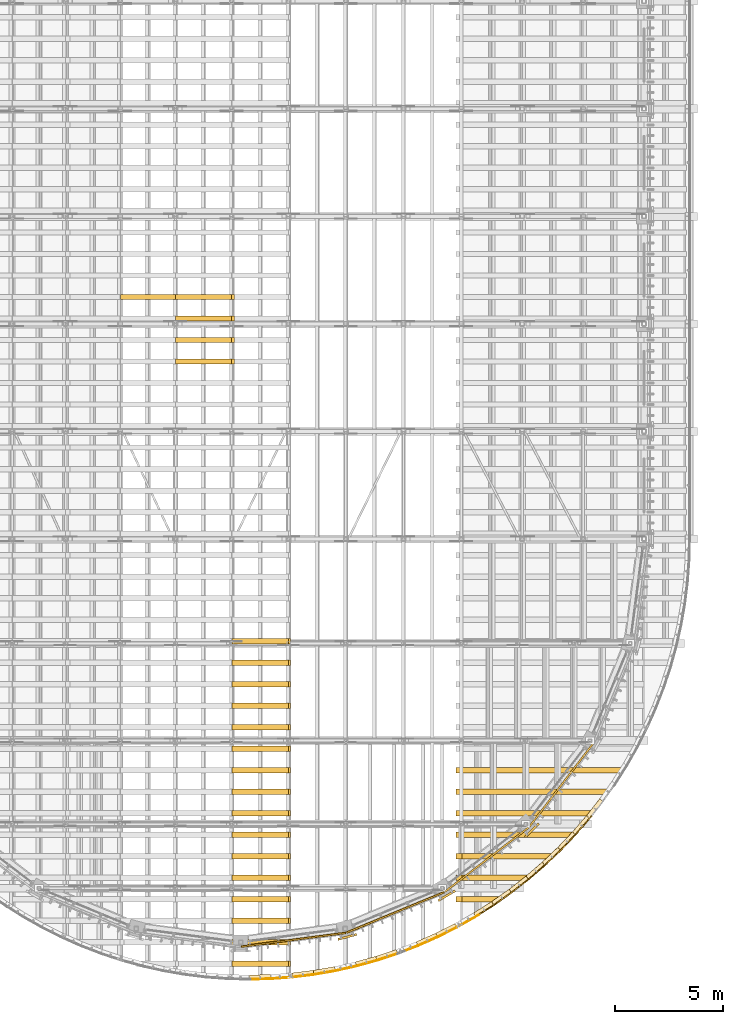
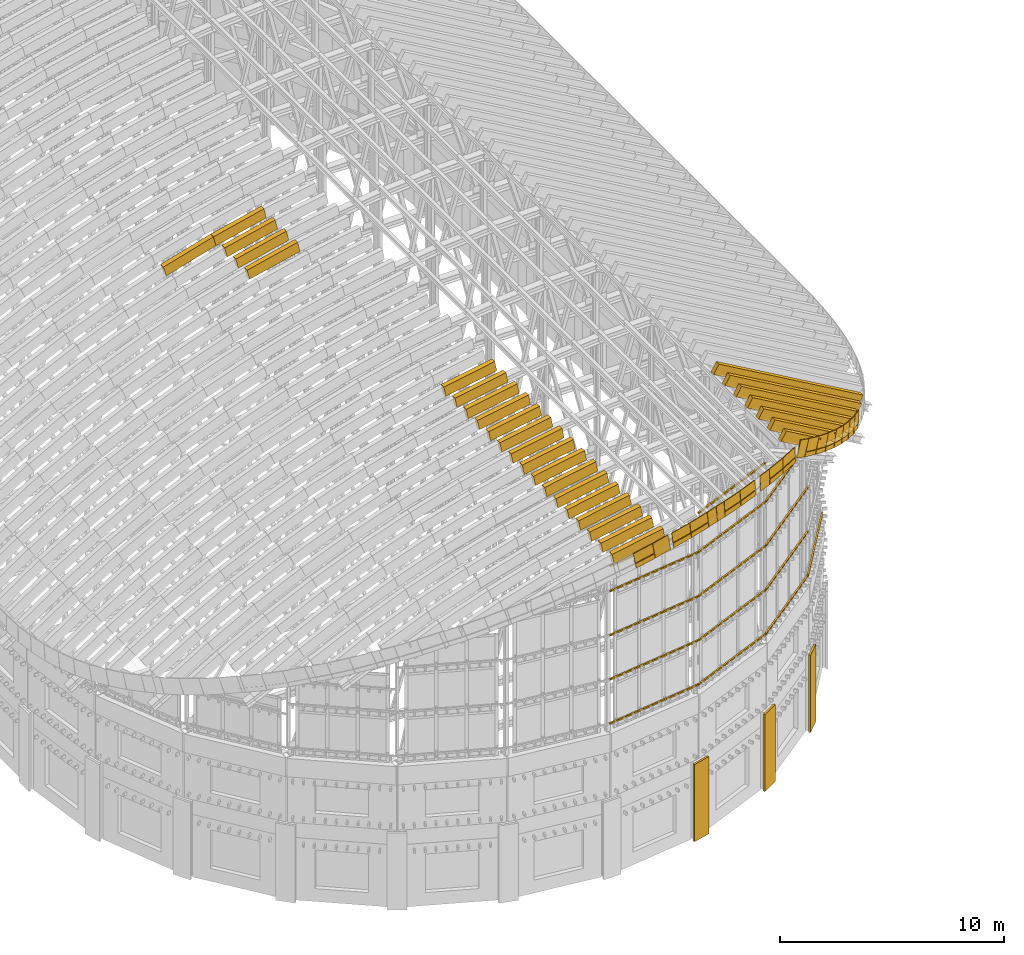
# One storey, part 86 of 105: 80 coverings.
"""IFC4 building model written with IfcOpenShell, lengths in metres."""

from ifc_helpers import new_model, si_unit, direction, frame, origin, origin_2d, place, context, subcontext, project, spatial, polyline, rectangle, outline, extrude, material, layer, layer_set, material_profile, profile_set, type_object, element, save


model = new_model("IFC4")

# Units and contexts
model_context = context("Model", 3, precision=1e-05, world=origin(), true_north=direction((0.0, 1.0)))
body_context = subcontext(model_context, "Body", "Model", "MODEL_VIEW")
ifc_project = project(units=[si_unit("LENGTHUNIT", "METRE"), si_unit("AREAUNIT", "SQUARE_METRE"), si_unit("VOLUMEUNIT", "CUBIC_METRE"), si_unit("PLANEANGLEUNIT", "RADIAN"), si_unit("MASSUNIT", "GRAM", prefix="KILO")], contexts=[model_context])

# Site, building, storey
site_placement = place(None, origin())
site = spatial("IfcSite", under=ifc_project, at=site_placement, CompositionType="ELEMENT")
building_placement = place(site_placement, origin())
building = spatial("IfcBuilding", under=site, at=building_placement, Name="Wasatch Bagh Community Centre", CompositionType="ELEMENT")
storey_placement = place(building_placement, frame((0.0, 0.0, 16.800048828125)))
storey = spatial("IfcBuildingStorey", under=building, at=storey_placement, Name="L04", CompositionType="ELEMENT", Elevation=16.800048828125)

# Coverings
ifc_material_1 = material(Name="White precast concrete C40/50", Category="concrete")
ifc_layer = layer(ifc_material_1, 0.10009765625)
ifc_layer_set = layer_set([ifc_layer], Name="White precast concrete C40/50")
covering_type_1 = type_object("IfcCoveringType", Name="MH column casing", PredefinedType="CLADDING", material=ifc_layer_set)
for number, where, z_axis, x_axis, name in (
    (1, (40.956298828125, 16.50244140625, 0.0), (0.0, 0.0, 1.0), (0.965925826289, 0.258819045103, 0.0), "Column casing S7 L04"),
    (2, (45.574951171875, 18.41552734375, 0.0), (0.0, 0.0, 1.0), (0.866025403784, 0.5, 0.0), "Column casing S8 L04"),
    (3, (49.541015625, 21.458984375, 0.0), (0.0, 0.0, 1.0), (0.707106781187, 0.707106781187, 0.0), "Column casing S9 L04"),
):
    element("IfcCovering", number, at=place(storey_placement, frame(where, z_axis=z_axis, x_axis=x_axis)), inside=storey, type_object=covering_type_1, Name=name, PredefinedType="CLADDING", context=body_context, shape_type="SweptSolid", body=[
        extrude(rectangle(XDim=0.89990234375, YDim=0.10009765625, at=origin_2d()), origin(), (0.0, 0.0, 1.0), 4.199951171875),
    ])
ifc_material_2 = material(Name="ASTM A653 Grade 50 steel, zinc-aluminium coated", Category="steel")
ifc_material_profile_1 = material_profile(ifc_material_2, outline(polyline([(-0.080078125, 0.0029296875), (0.152099609375, 0.0029296875), (0.152099609375, -0.031982421875), (0.14892578125, -0.031982421875), (0.14892578125, 0.0), (-0.080078125, 0.0), (-0.080078125, 0.0029296875)])), Name="DRIP EDGE")
ifc_profile_set_1 = profile_set([ifc_material_profile_1], Name="ASTM A653 Grade 50 steel, zinc-aluminium coated")
covering_type_2 = type_object("IfcCoveringType", Name="MH drip edge", PredefinedType="CLADDING", material=ifc_profile_set_1)
covering_1_placement = place(storey_placement, frame((52.742919921875, 22.87451171875, 14.970947265625), z_axis=(-0.579743599682, -0.742898023451, 0.334663839368), x_axis=(0.643371320718, -0.669404605522, -0.3714442324)))
element("IfcCovering", 4, at=covering_1_placement, inside=storey, type_object=covering_type_2, Name="Drip edge 15", PredefinedType="CLADDING", context=body_context, shape_type="SweptSolid", body=[
    extrude(outline(polyline([(-0.080078125, 0.0029296875), (0.152099609375, 0.0029296875), (0.152099609375, -0.031982421875), (0.14892578125, -0.031982421875), (0.14892578125, 0.0), (-0.080078125, 0.0), (-0.080078125, 0.0029296875)])), origin(), (0.0, 0.0, 1.0), 1.052001953125),
])
covering_2_placement = place(storey_placement, frame((52.12841796875, 22.087158203125, 15.32568359375), z_axis=(-0.611351247822, -0.708365524238, 0.352800135852), x_axis=(0.613418152738, -0.705845774567, -0.354259668065)))
element("IfcCovering", 5, at=covering_2_placement, inside=storey, type_object=covering_type_2, Name="Drip edge 16", PredefinedType="CLADDING", context=body_context, shape_type="SweptSolid", body=[
    extrude(outline(polyline([(-0.080078125, 0.0029296875), (0.152099609375, 0.0029296875), (0.152099609375, -0.031982421875), (0.14892578125, -0.031982421875), (0.14892578125, 0.0), (-0.080078125, 0.0), (-0.080078125, 0.0029296875)])), origin(), (0.0, 0.0, 1.0), 1.0595703125),
])
covering_3_placement = place(storey_placement, frame((51.475830078125, 21.3310546875, 15.702392578125), z_axis=(-0.640610340055, -0.672869646465, 0.369952471382), x_axis=(0.582724346567, -0.739761066412, -0.336431123024)))
element("IfcCovering", 6, at=covering_3_placement, inside=storey, type_object=covering_type_2, Name="Drip edge 17", PredefinedType="CLADDING", context=body_context, shape_type="SweptSolid", body=[
    extrude(outline(polyline([(-0.080078125, 0.0029296875), (0.152099609375, 0.0029296875), (0.152099609375, -0.031982421875), (0.14892578125, -0.031982421875), (0.14892578125, 0.0), (-0.080078125, 0.0), (-0.080078125, 0.0029296875)])), origin(), (0.0, 0.0, 1.0), 1.067138671875),
])
covering_4_placement = place(storey_placement, frame((50.786865234375, 20.60791015625, 16.10009765625), z_axis=(-0.668093649869, -0.636290483945, 0.38572696956), x_axis=(0.551075888792, -0.771449555976, -0.318089527299)))
element("IfcCovering", 7, at=covering_4_placement, inside=storey, type_object=covering_type_2, Name="Drip edge 18", PredefinedType="CLADDING", context=body_context, shape_type="SweptSolid", body=[
    extrude(outline(polyline([(-0.080078125, 0.0029296875), (0.152099609375, 0.0029296875), (0.152099609375, -0.031982421875), (0.14892578125, -0.031982421875), (0.14892578125, 0.0), (-0.080078125, 0.0), (-0.080078125, 0.0029296875)])), origin(), (0.0, 0.0, 1.0), 1.07470703125),
])
covering_5_placement = place(storey_placement, frame((50.0634765625, 19.919189453125, 16.517822265625), z_axis=(-0.693812726836, -0.598371171242, 0.400719155402), x_axis=(0.51818546769, -0.801219033347, -0.299218785636)))
element("IfcCovering", 8, at=covering_5_placement, inside=storey, type_object=covering_type_2, Name="Drip edge 19", PredefinedType="CLADDING", context=body_context, shape_type="SweptSolid", body=[
    extrude(outline(polyline([(-0.080078125, 0.0029296875), (0.152099609375, 0.0029296875), (0.152099609375, -0.031982421875), (0.14892578125, -0.031982421875), (0.14892578125, 0.0), (-0.080078125, 0.0), (-0.080078125, 0.0029296875)])), origin(), (0.0, 0.0, 1.0), 1.08203125),
])
covering_6_placement = place(storey_placement, frame((49.30712890625, 19.26708984375, 16.95458984375), z_axis=(-0.717486380448, -0.559962043954, 0.414313653169), x_axis=(0.484946771067, -0.828518260134, -0.279971644737)))
element("IfcCovering", 9, at=covering_6_placement, inside=storey, type_object=covering_type_2, Name="Drip edge 20", PredefinedType="CLADDING", context=body_context, shape_type="SweptSolid", body=[
    extrude(outline(polyline([(-0.080078125, 0.0029296875), (0.152099609375, 0.0029296875), (0.152099609375, -0.031982421875), (0.14892578125, -0.031982421875), (0.14892578125, 0.0), (-0.080078125, 0.0), (-0.080078125, 0.0029296875)])), origin(), (0.0, 0.0, 1.0), 1.089599609375),
])
covering_7_placement = place(storey_placement, frame((48.51953125, 18.652587890625, 17.4091796875), z_axis=(-0.739388634399, -0.520533160863, 0.42702420981), x_axis=(0.450755746808, -0.853841453913, -0.260334454692)))
element("IfcCovering", 10, at=covering_7_placement, inside=storey, type_object=covering_type_2, Name="Drip edge 21", PredefinedType="CLADDING", context=body_context, shape_type="SweptSolid", body=[
    extrude(outline(polyline([(-0.080078125, 0.0029296875), (0.152099609375, 0.0029296875), (0.152099609375, -0.031982421875), (0.14892578125, -0.031982421875), (0.14892578125, 0.0), (-0.080078125, 0.0), (-0.080078125, 0.0029296875)])), origin(), (0.0, 0.0, 1.0), 1.0966796875),
])
covering_8_placement = place(storey_placement, frame((47.702880859375, 18.07763671875, 17.880859375), z_axis=(-0.759393999021, -0.480816771524, 0.43833319116), x_axis=(0.416386319643, -0.876821092269, -0.240431289492)))
element("IfcCovering", 11, at=covering_8_placement, inside=storey, type_object=covering_type_2, Name="Drip edge 22", PredefinedType="CLADDING", context=body_context, shape_type="SweptSolid", body=[
    extrude(outline(polyline([(-0.080078125, 0.0029296875), (0.152099609375, 0.0029296875), (0.152099609375, -0.031982421875), (0.14892578125, -0.031982421875), (0.14892578125, 0.0), (-0.080078125, 0.0), (-0.080078125, 0.0029296875)])), origin(), (0.0, 0.0, 1.0), 1.103271484375),
])
covering_9_placement = place(storey_placement, frame((45.9892578125, 17.051025390625, 18.643310546875), z_axis=(-0.893056270944, -0.449361279504, -0.022911512606), x_axis=(0.449211420315, -0.893350119153, 0.011604502075)))
element("IfcCovering", 12, at=covering_9_placement, inside=storey, type_object=covering_type_2, Name="Drip edge 25", PredefinedType="CLADDING", context=body_context, shape_type="SweptSolid", body=[
    extrude(outline(polyline([(-0.080078125, 0.0029296875), (0.152099609375, 0.0029296875), (0.152099609375, -0.031982421875), (0.14892578125, -0.031982421875), (0.14892578125, 0.0), (-0.080078125, 0.0), (-0.080078125, 0.0029296875)])), origin(), (0.0, 0.0, 1.0), 0.990966796875),
])
covering_10_placement = place(storey_placement, frame((45.09716796875, 16.602294921875, 18.620361328125), z_axis=(-0.913951752746, -0.405133557873, -0.023643052618), x_axis=(0.404998526626, -0.914257512969, 0.010459130458)))
element("IfcCovering", 13, at=covering_10_placement, inside=storey, type_object=covering_type_2, Name="Drip edge 26", PredefinedType="CLADDING", context=body_context, shape_type="SweptSolid", body=[
    extrude(outline(polyline([(-0.080078125, 0.0029296875), (0.152099609375, 0.0029296875), (0.152099609375, -0.031982421875), (0.14892578125, -0.031982421875), (0.14892578125, 0.0), (-0.080078125, 0.0), (-0.080078125, 0.0029296875)])), origin(), (0.0, 0.0, 1.0), 0.9912109375),
])
for number, where, z_axis, x_axis, name in (
    (14, (43.251953125, 15.83837890625, 18.5576171875), (-0.946976025737, -0.312792029259, -0.073468041436), (0.311853882433, -0.949821639188, 0.024207638091), "Drip edge 29"),
    (15, (42.303466796875, 15.525146484375, 18.48388671875), (-0.961139413414, -0.2658366169, -0.074444080333), (0.265038703636, -0.964018096567, 0.020581425287), "Drip edge 30"),
):
    element("IfcCovering", number, at=place(storey_placement, frame(where, z_axis=z_axis, x_axis=x_axis)), inside=storey, type_object=covering_type_2, Name=name, PredefinedType="CLADDING", context=body_context, shape_type="SweptSolid", body=[
        extrude(outline(polyline([(-0.080078125, 0.0029296875), (0.152099609375, 0.0029296875), (0.152099609375, -0.031982421875), (0.14892578125, -0.031982421875), (0.14892578125, 0.0), (-0.080078125, 0.0), (-0.080078125, 0.0029296875)])), origin(), (0.0, 0.0, 1.0), 0.99365234375),
    ])
for number, where, z_axis, x_axis, name in (
    (16, (40.3662109375, 15.040283203125, 18.308837890625), (-0.977315510843, -0.169606642792, -0.126838397131), (0.168195661379, -0.985511839965, 0.021831921161), "Drip edge 33"),
    (17, (39.382080078125, 14.869873046875, 18.180908203125), (-0.984334507567, -0.121453388843, -0.127807087254), (0.120443474304, -0.992597135936, 0.015629946585), "Drip edge 34"),
):
    element("IfcCovering", number, at=place(storey_placement, frame(where, z_axis=z_axis, x_axis=x_axis)), inside=storey, type_object=covering_type_2, Name=name, PredefinedType="CLADDING", context=body_context, shape_type="SweptSolid", body=[
        extrude(outline(polyline([(-0.080078125, 0.0029296875), (0.152099609375, 0.0029296875), (0.152099609375, -0.031982421875), (0.14892578125, -0.031982421875), (0.14892578125, 0.0), (-0.080078125, 0.0), (-0.080078125, 0.0029296875)])), origin(), (0.0, 0.0, 1.0), 0.9990234375),
    ])
covering_11_placement = place(storey_placement, frame((37.39453125, 14.67431640625, 17.882568359375), z_axis=(-0.983442735228, -0.023998232878, -0.179623136999), x_axis=(0.023602610076, -0.999712000539, 0.004339674732)))
element("IfcCovering", 18, at=covering_11_placement, inside=storey, type_object=covering_type_2, Name="Drip edge 37", PredefinedType="CLADDING", context=body_context, shape_type="SweptSolid", body=[
    extrude(outline(polyline([(-0.080078125, 0.0029296875), (0.152099609375, 0.0029296875), (0.152099609375, -0.031982421875), (0.14892578125, -0.031982421875), (0.14892578125, 0.0), (-0.080078125, 0.0), (-0.080078125, 0.0029296875)])), origin(), (0.0, 0.0, 1.0), 1.007080078125),
])
ifc_material_profile_2 = material_profile(ifc_material_2, rectangle(XDim=0.0400390625, YDim=0.85009765625, at=origin_2d()), Name="FASCIA 40x850")
ifc_profile_set_2 = profile_set([ifc_material_profile_2], Name="ASTM A653 Grade 50 steel, zinc-aluminium coated")
covering_type_3 = type_object("IfcCoveringType", Name="MH eave fascia 40x850", PredefinedType="CLADDING", material=ifc_profile_set_2)
covering_12_placement = place(storey_placement, frame((52.21923828125, 22.0087890625, 15.47802734375), z_axis=(-0.611206905787, -0.708465319905, 0.352849838899), x_axis=(0.757166284111, -0.653222181348, 0.0)))
element("IfcCovering", 19, at=covering_12_placement, inside=storey, type_object=covering_type_3, Name="Eave fascia 16", PredefinedType="CLADDING", context=body_context, shape_type="SweptSolid", body=[
    extrude(rectangle(XDim=0.0400390625, YDim=0.85009765625, at=origin_2d()), origin(), (0.0, 0.0, 1.0), 1.059326171875),
])
covering_13_placement = place(storey_placement, frame((51.562744140625, 21.248291015625, 15.857666015625), z_axis=(-0.640664552202, -0.67292658858, 0.369754970128), x_axis=(0.72425504853, -0.689532178131, 0.0)))
element("IfcCovering", 20, at=covering_13_placement, inside=storey, type_object=covering_type_3, Name="Eave fascia 17", PredefinedType="CLADDING", context=body_context, shape_type="SweptSolid", body=[
    extrude(rectangle(XDim=0.0400390625, YDim=0.85009765625, at=origin_2d()), origin(), (0.0, 0.0, 1.0), 1.06689453125),
])
covering_14_placement = place(storey_placement, frame((50.86962890625, 20.52099609375, 16.258056640625), z_axis=(-0.668093649869, -0.636290483945, 0.38572696956), x_axis=(0.689661320562, -0.724132075606, 0.0)))
element("IfcCovering", 21, at=covering_14_placement, inside=storey, type_object=covering_type_3, Name="Eave fascia 18", PredefinedType="CLADDING", context=body_context, shape_type="SweptSolid", body=[
    extrude(rectangle(XDim=0.0400390625, YDim=0.85009765625, at=origin_2d()), origin(), (0.0, 0.0, 1.0), 1.07470703125),
])
covering_15_placement = place(storey_placement, frame((50.141845703125, 19.828369140625, 16.678466796875), z_axis=(-0.69378175214, -0.598570077537, 0.400475645544), x_axis=(0.65324155997, -0.757149565362, 0.0)))
element("IfcCovering", 22, at=covering_15_placement, inside=storey, type_object=covering_type_3, Name="Eave fascia 19", PredefinedType="CLADDING", context=body_context, shape_type="SweptSolid", body=[
    extrude(rectangle(XDim=0.0400390625, YDim=0.85009765625, at=origin_2d()), origin(), (0.0, 0.0, 1.0), 1.08203125),
])
covering_16_placement = place(storey_placement, frame((49.380859375, 19.17236328125, 17.11767578125), z_axis=(-0.717486380448, -0.559962043954, 0.414313653169), x_axis=(0.615252196869, -0.788330345888, 0.0)))
element("IfcCovering", 23, at=covering_16_placement, inside=storey, type_object=covering_type_3, Name="Eave fascia 20", PredefinedType="CLADDING", context=body_context, shape_type="SweptSolid", body=[
    extrude(rectangle(XDim=0.0400390625, YDim=0.85009765625, at=origin_2d()), origin(), (0.0, 0.0, 1.0), 1.089599609375),
])
covering_17_placement = place(storey_placement, frame((48.588623046875, 18.554443359375, 17.574951171875), z_axis=(-0.73945892186, -0.520582643574, 0.426842141887), x_axis=(0.575658067023, -0.817690522063, 0.0)))
element("IfcCovering", 24, at=covering_17_placement, inside=storey, type_object=covering_type_3, Name="Eave fascia 21", PredefinedType="CLADDING", context=body_context, shape_type="SweptSolid", body=[
    extrude(rectangle(XDim=0.0400390625, YDim=0.85009765625, at=origin_2d()), origin(), (0.0, 0.0, 1.0), 1.096435546875),
])
covering_18_placement = place(storey_placement, frame((47.76708984375, 17.976318359375, 18.048828125), z_axis=(-0.759393999021, -0.480816771524, 0.43833319116), x_axis=(0.534946655462, -0.844885835962, 0.0)))
element("IfcCovering", 25, at=covering_18_placement, inside=storey, type_object=covering_type_3, Name="Eave fascia 22", PredefinedType="CLADDING", context=body_context, shape_type="SweptSolid", body=[
    extrude(rectangle(XDim=0.0400390625, YDim=0.85009765625, at=origin_2d()), origin(), (0.0, 0.0, 1.0), 1.103271484375),
])
covering_19_placement = place(storey_placement, frame((46.91796875, 17.43896484375, 18.538330078125), z_axis=(-0.777593572249, -0.440354280133, 0.448816604378), x_axis=(0.492773621404, -0.870157547832, 0.0)))
element("IfcCovering", 26, at=covering_19_placement, inside=storey, type_object=covering_type_3, Name="Eave fascia 23", PredefinedType="CLADDING", context=body_context, shape_type="SweptSolid", body=[
    extrude(rectangle(XDim=0.0400390625, YDim=0.85009765625, at=origin_2d()), origin(), (0.0, 0.0, 1.0), 0.779052734375),
])
for number, where, z_axis, x_axis, name in (
    (27, (46.043212890625, 16.94384765625, 18.7685546875), (-0.89305120304, -0.449358729475, -0.023157741541), (0.449479269232, -0.893290762591, 0.0), "Eave fascia 25"),
    (28, (45.145751953125, 16.492431640625, 18.745361328125), (-0.914007690552, -0.405021197646, -0.023404509596), (0.405132172687, -0.914258126928, 0.0), "Eave fascia 26"),
):
    element("IfcCovering", number, at=place(storey_placement, frame(where, z_axis=z_axis, x_axis=x_axis)), inside=storey, type_object=covering_type_3, Name=name, PredefinedType="CLADDING", context=body_context, shape_type="SweptSolid", body=[
        extrude(rectangle(XDim=0.0400390625, YDim=0.85009765625, at=origin_2d()), origin(), (0.0, 0.0, 1.0), 0.990966796875),
    ])
covering_20_placement = place(storey_placement, frame((44.22705078125, 16.085693359375, 18.721923828125), z_axis=(-0.932663199548, -0.359942753085, -0.024095034964), x_axis=(0.360047284713, -0.93293405596, 0.0)))
element("IfcCovering", 29, at=covering_20_placement, inside=storey, type_object=covering_type_3, Name="Eave fascia 27", PredefinedType="CLADDING", context=body_context, shape_type="SweptSolid", body=[
    extrude(rectangle(XDim=0.0400390625, YDim=0.85009765625, at=origin_2d()), origin(), (0.0, 0.0, 1.0), 0.65869140625),
])
covering_21_placement = place(storey_placement, frame((43.28955078125, 15.724365234375, 18.683837890625), z_axis=(-0.946976025737, -0.312792029259, -0.073468041436), x_axis=(0.31363961778, -0.949542094991, 0.0)))
element("IfcCovering", 30, at=covering_21_placement, inside=storey, type_object=covering_type_3, Name="Eave fascia 29", PredefinedType="CLADDING", context=body_context, shape_type="SweptSolid", body=[
    extrude(rectangle(XDim=0.0400390625, YDim=0.85009765625, at=origin_2d()), origin(), (0.0, 0.0, 1.0), 0.99365234375),
])
covering_22_placement = place(storey_placement, frame((42.33544921875, 15.40966796875, 18.610107421875), z_axis=(-0.961057855904, -0.266127757081, -0.074456796302), x_axis=(0.266868519958, -0.963732946959, 0.0)))
element("IfcCovering", 31, at=covering_22_placement, inside=storey, type_object=covering_type_3, Name="Eave fascia 30", PredefinedType="CLADDING", context=body_context, shape_type="SweptSolid", body=[
    extrude(rectangle(XDim=0.0400390625, YDim=0.85009765625, at=origin_2d()), origin(), (0.0, 0.0, 1.0), 0.993408203125),
])
covering_23_placement = place(storey_placement, frame((41.366943359375, 15.141845703125, 18.535400390625), z_axis=(-0.972911577235, -0.218560288888, -0.075329031607), x_axis=(0.219183046643, -0.975683756175, 0.0)))
element("IfcCovering", 32, at=covering_23_placement, inside=storey, type_object=covering_type_3, Name="Eave fascia 31", PredefinedType="CLADDING", context=body_context, shape_type="SweptSolid", body=[
    extrude(rectangle(XDim=0.0400390625, YDim=0.85009765625, at=origin_2d()), origin(), (0.0, 0.0, 1.0), 0.460205078125),
])
covering_24_placement = place(storey_placement, frame((40.911376953125, 15.03955078125, 18.50439453125), z_axis=(-0.968036963081, -0.217276682258, -0.125280810408), x_axis=(0.219002129409, -0.975724380814, 0.0)))
element("IfcCovering", 33, at=covering_24_placement, inside=storey, type_object=covering_type_3, Name="Eave fascia 32", PredefinedType="CLADDING", context=body_context, shape_type="SweptSolid", body=[
    extrude(rectangle(XDim=0.0400390625, YDim=0.85009765625, at=origin_2d()), origin(), (0.0, 0.0, 1.0), 0.528076171875),
])
for number, where, z_axis, x_axis, name in (
    (34, (40.38671875, 14.922119140625, 18.437255859375), (-0.977315510843, -0.169606642792, -0.126838397131), (0.170987642486, -0.985273173347, 0.0), "Eave fascia 33"),
    (35, (39.396728515625, 14.750732421875, 18.3095703125), (-0.984334507567, -0.121453388843, -0.127807087254), (0.122457658417, -0.992473738642, 0.0), "Eave fascia 34"),
):
    element("IfcCovering", number, at=place(storey_placement, frame(where, z_axis=z_axis, x_axis=x_axis)), inside=storey, type_object=covering_type_3, Name=name, PredefinedType="CLADDING", context=body_context, shape_type="SweptSolid", body=[
        extrude(rectangle(XDim=0.0400390625, YDim=0.85009765625, at=origin_2d()), origin(), (0.0, 0.0, 1.0), 0.9990234375),
    ])
covering_25_placement = place(storey_placement, frame((38.2314453125, 14.61572265625, 18.165771484375), z_axis=(-0.981116574311, -0.072437305873, -0.179340749219), x_axis=(0.073631085377, -0.997285547507, 0.0)))
element("IfcCovering", 36, at=covering_25_placement, inside=storey, type_object=covering_type_3, Name="Eave fascia 36", PredefinedType="CLADDING", context=body_context, shape_type="SweptSolid", body=[
    extrude(rectangle(XDim=0.0400390625, YDim=0.85009765625, at=origin_2d()), origin(), (0.0, 0.0, 1.0), 0.8359375),
])
covering_26_placement = place(storey_placement, frame((37.3974609375, 14.554443359375, 18.0146484375), z_axis=(-0.983394139173, -0.024239441439, -0.179856655476), x_axis=(0.024641270835, -0.999696357787, 0.0)))
element("IfcCovering", 37, at=covering_26_placement, inside=storey, type_object=covering_type_3, Name="Eave fascia 37", PredefinedType="CLADDING", context=body_context, shape_type="SweptSolid", body=[
    extrude(rectangle(XDim=0.0400390625, YDim=0.85009765625, at=origin_2d()), origin(), (0.0, 0.0, 1.0), 1.00732421875),
])
ifc_material_3 = material(Name="Aluminium extrusion", Category="aluminium")
ifc_material_profile_3 = material_profile(ifc_material_3, rectangle(XDim=0.080078125, YDim=0.080078125, at=origin_2d()), Name="AL 80x80")
ifc_profile_set_3 = profile_set([ifc_material_profile_3], Name="Aluminium extrusion")
covering_type_4 = type_object("IfcCoveringType", Name="MH fin rail 80x80", PredefinedType="CLADDING", material=ifc_profile_set_3)
for number, where, z_axis, x_axis, name in (
    (38, (36.026123046875, 16.0517578125, 8.199951171875), (0.991443936339, 0.130533218363, 0.0), (-0.130533218363, 0.991443936339, 0.0), "Fin rail 7.1"),
    (39, (36.026123046875, 16.0517578125, 10.599853515625), (0.991443936339, 0.130533218363, 0.0), (-0.130533218363, 0.991443936339, 0.0), "Fin rail 7.2"),
    (40, (36.026123046875, 16.0517578125, 13.0), (0.991443936339, 0.130533218363, 0.0), (-0.130533218363, 0.991443936339, 0.0), "Fin rail 7.3"),
    (41, (36.026123046875, 16.0517578125, 15.39990234375), (0.991443936339, 0.130533218363, 0.0), (-0.130533218363, 0.991443936339, 0.0), "Fin rail 7.4"),
    (42, (36.026123046875, 16.0517578125, 16.760009765625), (0.991443936339, 0.130533218363, 0.0), (-0.130533218363, 0.991443936339, 0.0), "Fin rail 7.5"),
):
    element("IfcCovering", number, at=place(storey_placement, frame(where, z_axis=z_axis, x_axis=x_axis)), inside=storey, type_object=covering_type_4, Name=name, PredefinedType="CLADDING", context=body_context, shape_type="SweptSolid", body=[
        extrude(rectangle(XDim=0.080078125, YDim=0.080078125, at=origin_2d()), origin(), (0.0, 0.0, 1.0), 4.894775390625),
    ])
for number, where, z_axis, x_axis, name in (
    (43, (40.929443359375, 16.7041015625, 8.199951171875), (0.923880654153, 0.382680724471, 0.0), (-0.382680724471, 0.923880654153, 0.0), "Fin rail 8.1"),
    (44, (40.929443359375, 16.7041015625, 10.599853515625), (0.923880654153, 0.382680724471, 0.0), (-0.382680724471, 0.923880654153, 0.0), "Fin rail 8.2"),
    (45, (40.929443359375, 16.7041015625, 13.0), (0.923880654153, 0.382680724471, 0.0), (-0.382680724471, 0.923880654153, 0.0), "Fin rail 8.3"),
    (46, (40.929443359375, 16.7041015625, 15.39990234375), (0.923880654153, 0.382680724471, 0.0), (-0.382680724471, 0.923880654153, 0.0), "Fin rail 8.4"),
    (47, (40.929443359375, 16.7041015625, 17.530029296875), (0.923880654153, 0.382680724471, 0.0), (-0.382680724471, 0.923880654153, 0.0), "Fin rail 8.5"),
    (48, (45.496826171875, 18.603271484375, 8.199951171875), (0.793337338041, 0.60878228298, 0.0), (-0.60878228298, 0.793337338041, 0.0), "Fin rail 9.1"),
    (49, (45.496826171875, 18.603271484375, 10.599853515625), (0.793337338041, 0.60878228298, 0.0), (-0.60878228298, 0.793337338041, 0.0), "Fin rail 9.2"),
    (50, (45.496826171875, 18.603271484375, 13.0), (0.793337338041, 0.60878228298, 0.0), (-0.60878228298, 0.793337338041, 0.0), "Fin rail 9.3"),
    (51, (45.496826171875, 18.603271484375, 15.39990234375), (0.793337338041, 0.60878228298, 0.0), (-0.60878228298, 0.793337338041, 0.0), "Fin rail 9.4"),
    (52, (49.4169921875, 21.6201171875, 8.199951171875), (0.60878228298, 0.793337338041, 0.0), (-0.793337338041, 0.60878228298, 0.0), "Fin rail 10.1"),
):
    element("IfcCovering", number, at=place(storey_placement, frame(where, z_axis=z_axis, x_axis=x_axis)), inside=storey, type_object=covering_type_4, Name=name, PredefinedType="CLADDING", context=body_context, shape_type="SweptSolid", body=[
        extrude(rectangle(XDim=0.080078125, YDim=0.080078125, at=origin_2d()), origin(), (0.0, 0.0, 1.0), 4.89453125),
    ])
covering_type_5 = type_object("IfcCoveringType", Name="MH roll-over fin rib", PredefinedType="ROOFING", material=ifc_material_2)
covering_27_placement = place(storey_placement, frame((30.403076171875, 46.125, 16.744873046875), z_axis=(-0.280263508519, 0.0, 0.959923104104), x_axis=(0.959923104104, 0.0, 0.280263508519)))
element("IfcCovering", 53, at=covering_27_placement, inside=storey, type_object=covering_type_5, Name="Seam rib 7.32", PredefinedType="ROOFING", context=body_context, shape_type="SweptSolid", body=[
    extrude(outline(polyline([(0.0, 0.0), (2.6682129911495487, 0.0), (2.6682129911495487, 0.25), (0.0, 0.25), (0.0, 0.0)])), origin(), (0.0, 0.0, -1.0), 0.550048828125),
])
for number, where, z_axis, x_axis, name in (
    (54, (32.98046875, 43.125, 17.490478515625), (-0.2303751915, 0.0, 0.973101881172), (0.973101881172, 0.0, 0.2303751915), "Seam rib 8.29"),
    (55, (32.98046875, 44.125, 17.490478515625), (-0.2303751915, 0.0, 0.973101881172), (0.973101881172, 0.0, 0.2303751915), "Seam rib 8.30"),
    (56, (32.98046875, 45.125, 17.490478515625), (-0.2303751915, 0.0, 0.973101881172), (0.973101881172, 0.0, 0.2303751915), "Seam rib 8.31"),
    (57, (32.98046875, 46.125, 17.490478515625), (-0.2303751915, 0.0, 0.973101881172), (0.973101881172, 0.0, 0.2303751915), "Seam rib 8.32"),
):
    element("IfcCovering", number, at=place(storey_placement, frame(where, z_axis=z_axis, x_axis=x_axis)), inside=storey, type_object=covering_type_5, Name=name, PredefinedType="ROOFING", context=body_context, shape_type="SweptSolid", body=[
        extrude(outline(polyline([(0.0, 0.0), (2.6684561377800424, 0.0), (2.6684561377800424, 0.25), (0.0, 0.25), (0.0, 0.0)])), origin(), (0.0, 0.0, -1.0), 0.550048828125),
    ])
for number, where, z_axis, x_axis, name in (
    (58, (35.59326171875, 15.125, 18.103515625), (-0.179779044662, 0.0, 0.983707016901), (0.983707016901, 0.0, 0.179779044662), "Seam rib 9.1"),
    (59, (35.59326171875, 16.125, 18.103515625), (-0.179779044662, 0.0, 0.983707016901), (0.983707016901, 0.0, 0.179779044662), "Seam rib 9.2"),
    (60, (35.59326171875, 17.125, 18.103515625), (-0.179779044662, 0.0, 0.983707016901), (0.983707016901, 0.0, 0.179779044662), "Seam rib 9.3"),
    (61, (35.59326171875, 18.125, 18.103515625), (-0.179779044662, 0.0, 0.983707016901), (0.983707016901, 0.0, 0.179779044662), "Seam rib 9.4"),
    (62, (35.59326171875, 19.125, 18.103515625), (-0.179779044662, 0.0, 0.983707016901), (0.983707016901, 0.0, 0.179779044662), "Seam rib 9.5"),
    (63, (35.59326171875, 20.125, 18.103515625), (-0.179779044662, 0.0, 0.983707016901), (0.983707016901, 0.0, 0.179779044662), "Seam rib 9.6"),
    (64, (35.59326171875, 21.125, 18.103515625), (-0.179779044662, 0.0, 0.983707016901), (0.983707016901, 0.0, 0.179779044662), "Seam rib 9.7"),
    (65, (35.59326171875, 22.125, 18.103515625), (-0.179779044662, 0.0, 0.983707016901), (0.983707016901, 0.0, 0.179779044662), "Seam rib 9.8"),
    (66, (35.59326171875, 23.125, 18.103515625), (-0.179779044662, 0.0, 0.983707016901), (0.983707016901, 0.0, 0.179779044662), "Seam rib 9.9"),
    (67, (35.59326171875, 24.125, 18.103515625), (-0.179779044662, 0.0, 0.983707016901), (0.983707016901, 0.0, 0.179779044662), "Seam rib 9.10"),
    (68, (35.59326171875, 25.125, 18.103515625), (-0.179779044662, 0.0, 0.983707016901), (0.983707016901, 0.0, 0.179779044662), "Seam rib 9.11"),
    (69, (35.59326171875, 26.125, 18.103515625), (-0.179779044662, 0.0, 0.983707016901), (0.983707016901, 0.0, 0.179779044662), "Seam rib 9.12"),
    (70, (35.59326171875, 27.125, 18.103515625), (-0.179779044662, 0.0, 0.983707016901), (0.983707016901, 0.0, 0.179779044662), "Seam rib 9.13"),
    (71, (35.59326171875, 28.125, 18.103515625), (-0.179779044662, 0.0, 0.983707016901), (0.983707016901, 0.0, 0.179779044662), "Seam rib 9.14"),
    (72, (35.59326171875, 29.125, 18.103515625), (-0.179779044662, 0.0, 0.983707016901), (0.983707016901, 0.0, 0.179779044662), "Seam rib 9.15"),
    (73, (35.59326171875, 30.125, 18.103515625), (-0.179779044662, 0.0, 0.983707016901), (0.983707016901, 0.0, 0.179779044662), "Seam rib 9.16"),
):
    element("IfcCovering", number, at=place(storey_placement, frame(where, z_axis=z_axis, x_axis=x_axis)), inside=storey, type_object=covering_type_5, Name=name, PredefinedType="ROOFING", context=body_context, shape_type="SweptSolid", body=[
        extrude(outline(polyline([(0.0, 0.0), (2.6684774581252992, 0.0), (2.6684774581252992, 0.25), (0.0, 0.25), (0.0, 0.0)])), origin(), (0.0, 0.0, -1.0), 0.550048828125),
    ])
covering_28_placement = place(storey_placement, frame((46.28857421875, 18.125, 19.247314453125), z_axis=(0.49996174997, 0.0, 0.866047486323), x_axis=(0.866047486323, 0.0, -0.49996174997)))
element("IfcCovering", 74, at=covering_28_placement, inside=storey, type_object=covering_type_5, Name="Seam rib 13.1", PredefinedType="ROOFING", context=body_context, shape_type="SweptSolid", body=[
    extrude(outline(polyline([(0.0, 0.0), (2.0607045190177846, 0.0), (2.0607045190177846, 0.25), (0.0, 0.25), (0.0, 0.0)])), origin(), (0.0, 0.0, -1.0), 0.550048828125),
])
covering_29_placement = place(storey_placement, frame((46.28857421875, 19.125, 19.247314453125), z_axis=(0.500000124603, 0.0, 0.866025331845), x_axis=(0.866025331845, 0.0, -0.500000124603)))
element("IfcCovering", 75, at=covering_29_placement, inside=storey, type_object=covering_type_5, Name="Seam rib 13.2", PredefinedType="ROOFING", context=body_context, shape_type="SweptSolid", body=[
    extrude(outline(polyline([(0.0, 0.0), (3.5771475460500226, 0.0), (3.5771475460500226, 0.25), (0.0, 0.25), (0.0, 0.0)])), origin(), (0.0, 0.0, -1.0), 0.550048828125),
])
covering_30_placement = place(storey_placement, frame((46.28857421875, 20.125, 19.247314453125), z_axis=(0.500022394924, 0.0, 0.866012473683), x_axis=(0.866012473683, 0.0, -0.500022394924)))
element("IfcCovering", 76, at=covering_30_placement, inside=storey, type_object=covering_type_5, Name="Seam rib 13.3", PredefinedType="ROOFING", context=body_context, shape_type="SweptSolid", body=[
    extrude(outline(polyline([(0.0, 0.0), (4.861598655986523, 0.0), (4.861598655986523, 0.25), (0.0, 0.25), (0.0, 0.0)])), origin(), (0.0, 0.0, -1.0), 0.550048828125),
])
covering_31_placement = place(storey_placement, frame((46.28857421875, 21.125, 19.247314453125), z_axis=(0.499984800153, 0.0, 0.866034179242), x_axis=(0.866034179242, 0.0, -0.499984800153)))
element("IfcCovering", 77, at=covering_31_placement, inside=storey, type_object=covering_type_5, Name="Seam rib 13.4", PredefinedType="ROOFING", context=body_context, shape_type="SweptSolid", body=[
    extrude(outline(polyline([(0.0, 0.0), (5.987975001358135, 0.0), (5.987975001358135, 0.25000000000000006), (0.0, 0.25000000000000006), (0.0, 0.0)])), origin(), (0.0, 0.0, -1.0), 0.550048828125),
])
covering_32_placement = place(storey_placement, frame((46.28857421875, 22.125, 19.247314453125), z_axis=(0.500018049466, 0.0, 0.86601498267), x_axis=(0.86601498267, 0.0, -0.500018049466)))
element("IfcCovering", 78, at=covering_32_placement, inside=storey, type_object=covering_type_5, Name="Seam rib 13.5", PredefinedType="ROOFING", context=body_context, shape_type="SweptSolid", body=[
    extrude(outline(polyline([(0.0, 0.0), (6.958733172169357, 0.0), (6.958733172169357, 0.25), (0.0, 0.25), (0.0, 0.0)])), origin(), (0.0, 0.0, -1.0), 0.550048828125),
])
covering_33_placement = place(storey_placement, frame((46.28857421875, 23.125, 19.247314453125), z_axis=(0.500011703552, 0.0, 0.86601864663), x_axis=(0.86601864663, 0.0, -0.500011703552)))
element("IfcCovering", 79, at=covering_33_placement, inside=storey, type_object=covering_type_5, Name="Seam rib 13.6", PredefinedType="ROOFING", context=body_context, shape_type="SweptSolid", body=[
    extrude(outline(polyline([(0.0, 0.0), (7.817688104314045, 0.0), (7.817688104314045, 0.25), (0.0, 0.25), (0.0, 0.0)])), origin(), (0.0, 0.0, -1.0), 0.550048828125),
])
covering_34_placement = place(storey_placement, frame((46.28857421875, 24.125, 19.247314453125), z_axis=(0.500005823294, 0.0, 0.866022041678), x_axis=(0.866022041678, 0.0, -0.500005823294)))
element("IfcCovering", 80, at=covering_34_placement, inside=storey, type_object=covering_type_5, Name="Seam rib 13.7", PredefinedType="ROOFING", context=body_context, shape_type="SweptSolid", body=[
    extrude(outline(polyline([(0.0, 0.0), (8.576560268585977, 0.0), (8.576560268585977, 0.25), (0.0, 0.25), (0.0, 0.0)])), origin(), (0.0, 0.0, -1.0), 0.550048828125),
])

save(model, "model.ifc")
